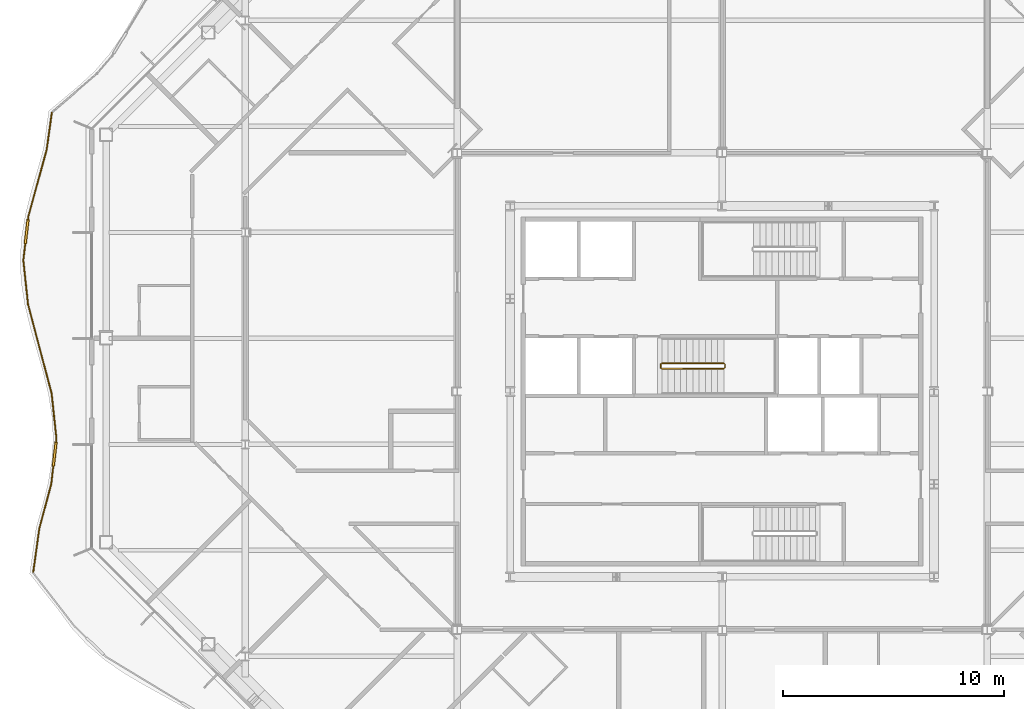
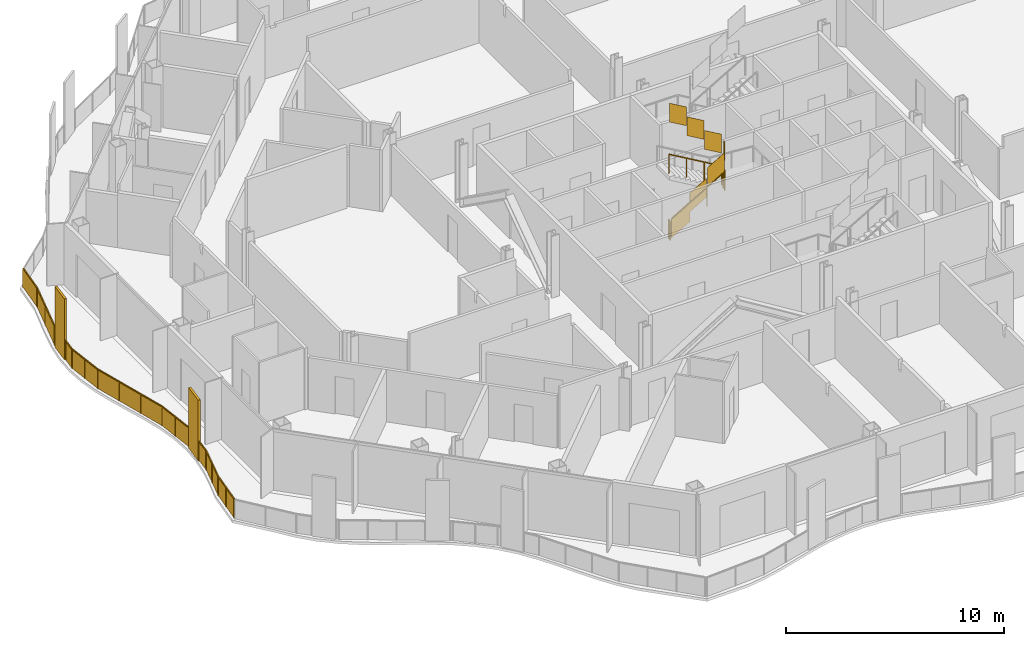
# One storey, part 17 of 21: 3 railings.
"""IFC4 building model written with IfcOpenShell, lengths in metres."""

from ifc_helpers import new_model, si_unit, direction, frame, origin, origin_2d, place, context, subcontext, project, spatial, polyline, rectangle, outline, extrude, material, type_object, element, save


model = new_model("IFC4")

# Units and contexts
model_context = context("Model", 3, precision=1e-05, world=origin(), true_north=direction((0.0, 1.0)))
body_context = subcontext(model_context, "Body", "Model", "MODEL_VIEW")
ifc_project = project(units=[si_unit("LENGTHUNIT", "METRE"), si_unit("AREAUNIT", "SQUARE_METRE"), si_unit("VOLUMEUNIT", "CUBIC_METRE"), si_unit("PLANEANGLEUNIT", "RADIAN"), si_unit("MASSUNIT", "GRAM", prefix="KILO")], contexts=[model_context])

# Site, building, storey
site_placement = place(None, origin())
site = spatial("IfcSite", under=ifc_project, at=site_placement, CompositionType="ELEMENT")
building_placement = place(site_placement, origin())
building = spatial("IfcBuilding", under=site, at=building_placement, Name="Cairn Pilgrim Tower", CompositionType="ELEMENT")
storey_placement = place(building_placement, frame((0.0, 0.0, 168.60009765625)))
storey = spatial("IfcBuildingStorey", under=building, at=storey_placement, Name="L42", CompositionType="ELEMENT", Elevation=168.60009765625)

# Railings
ifc_material_1 = material(Name="Bronze anodised aluminium rail, posts and fin screens with laminated glass infill", Category="aluminium")
railing_type_1 = type_object("IfcRailingType", Name="BALCONY GUARD WITH FIN SCREENS", PredefinedType="GUARDRAIL", material=ifc_material_1)
railing_1_placement = place(storey_placement, frame((-23.1572265625, 15.02685546875, 0.0)))
element("IfcRailing", 1, at=railing_1_placement, inside=storey, type_object=railing_type_1, Name="Balcony guard BGF-7 with fin screens", PredefinedType="GUARDRAIL", context=body_context, shape_type="SweptSolid", body=[
    extrude(rectangle(XDim=0.050048828125, YDim=0.050048828125, at=origin_2d()), frame((0.0, 0.0, 1.0751953125), z_axis=(-0.138172880058, -0.990408125581, 0.0), x_axis=(0.990408125581, -0.138172880058, 0.0)), (0.0, 0.0, 1.0), 1.683837890625),
    extrude(rectangle(XDim=0.050048828125, YDim=0.050048828125, at=origin_2d()), frame((-0.232666015625, -1.667724609375, 1.0751953125), z_axis=(-0.264018256872, -0.964517682595, 0.0), x_axis=(0.964517682595, -0.264018256872, 0.0)), (0.0, 0.0, 1.0), 3.141357421875),
    extrude(rectangle(XDim=1.10009765625, YDim=0.110107421875, at=origin_2d()), frame((-1.14208984375, -5.392822265625, 0.0), z_axis=(0.0, 0.0, 1.0), x_axis=(-0.114504022567, -0.993422784526, 0.0)), (0.0, 0.0, 1.0), 3.39990234375),
    extrude(rectangle(XDim=0.050048828125, YDim=0.050048828125, at=origin_2d()), frame((-1.06201171875, -4.697509765625, 1.0751953125), z_axis=(-0.114504022567, -0.993422784526, 0.0), x_axis=(0.993422784526, -0.114504022567, 0.0)), (0.0, 0.0, 1.0), 0.14990234375),
    extrude(rectangle(XDim=0.050048828125, YDim=0.050048828125, at=origin_2d()), frame((-1.205078125, -5.939208984375, 1.0751953125), z_axis=(-0.114504022567, -0.993422784526, 0.0), x_axis=(0.993422784526, -0.114504022567, 0.0)), (0.0, 0.0, 1.0), 0.75634765625),
    extrude(rectangle(XDim=0.050048828125, YDim=0.050048828125, at=origin_2d()), frame((-1.291748046875, -6.690673828125, 1.0751953125), z_axis=(0.105844992091, -0.994382641466, 0.0), x_axis=(0.994382641466, 0.105844992091, 0.0)), (0.0, 0.0, 1.0), 2.00439453125),
    extrude(rectangle(XDim=0.050048828125, YDim=0.050048828125, at=origin_2d()), frame((-1.07958984375, -8.683837890625, 1.0751953125), z_axis=(0.255757741287, -0.966740905192, 0.0), x_axis=(0.966740905192, 0.255757741287, 0.0)), (0.0, 0.0, 1.0), 4.18115234375),
    extrude(rectangle(XDim=0.050048828125, YDim=0.050048828125, at=origin_2d()), frame((-0.01025390625, -12.725830078125, 1.0751953125), z_axis=(0.105918159941, -0.994374850544, 0.0), x_axis=(0.994374850544, 0.105918159941, 0.0)), (0.0, 0.0, 1.0), 2.060546875),
    extrude(rectangle(XDim=1.10009765625, YDim=0.110107421875, at=origin_2d()), frame((0.1279296875, -15.47021484375, 0.0), z_axis=(0.0, 0.0, 1.0), x_axis=(-0.114367959767, -0.993438457973, 0.0)), (0.0, 0.0, 1.0), 3.39990234375),
    extrude(rectangle(XDim=0.050048828125, YDim=0.050048828125, at=origin_2d()), frame((0.2080078125, -14.77490234375, 1.0751953125), z_axis=(-0.114367959767, -0.993438457973, 0.0), x_axis=(0.993438457973, -0.114367959767, 0.0)), (0.0, 0.0, 1.0), 0.14990234375),
    extrude(rectangle(XDim=0.050048828125, YDim=0.050048828125, at=origin_2d()), frame((0.06494140625, -16.0166015625, 1.0751953125), z_axis=(-0.114367959767, -0.993438457973, 0.0), x_axis=(0.993438457973, -0.114367959767, 0.0)), (0.0, 0.0, 1.0), 0.812255859375),
    extrude(rectangle(XDim=0.050048828125, YDim=0.050048828125, at=origin_2d()), frame((-0.02783203125, -16.823486328125, 1.0751953125), z_axis=(-0.258932270629, -0.965895480488, 0.0), x_axis=(0.965895480488, -0.258932270629, 0.0)), (0.0, 0.0, 1.0), 2.09423828125),
    extrude(rectangle(XDim=0.050048828125, YDim=0.050048828125, at=origin_2d()), frame((-0.570068359375, -18.84619140625, 1.0751953125), z_axis=(-0.137564975502, -0.990492744807, 0.0), x_axis=(0.990492744807, -0.137564975502, 0.0)), (0.0, 0.0, 1.0), 1.959228515625),
    extrude(rectangle(XDim=0.050048828125, YDim=0.050048828125, at=origin_2d()), origin(), (0.0, 0.0, 1.0), 1.050048828125),
    extrude(rectangle(XDim=0.050048828125, YDim=0.050048828125, at=origin_2d()), frame((-0.232666015625, -1.667724609375, 0.0)), (0.0, 0.0, 1.0), 1.050048828125),
    extrude(rectangle(XDim=0.050048828125, YDim=0.050048828125, at=origin_2d()), frame((-0.6474609375, -3.1826171875, 0.0)), (0.0, 0.0, 1.0), 1.050048828125),
    extrude(rectangle(XDim=0.050048828125, YDim=0.050048828125, at=origin_2d()), frame((-1.06201171875, -4.697509765625, 0.0)), (0.0, 0.0, 1.0), 1.050048828125),
    extrude(rectangle(XDim=0.050048828125, YDim=0.050048828125, at=origin_2d()), frame((-1.076416015625, -4.821533203125, 0.0)), (0.0, 0.0, 1.0), 1.050048828125),
    extrude(rectangle(XDim=0.050048828125, YDim=0.050048828125, at=origin_2d()), frame((-1.2080078125, -5.964111328125, 0.0)), (0.0, 0.0, 1.0), 1.050048828125),
    extrude(rectangle(XDim=0.050048828125, YDim=0.050048828125, at=origin_2d()), frame((-1.291748046875, -6.690673828125, 0.0)), (0.0, 0.0, 1.0), 1.050048828125),
    extrude(rectangle(XDim=0.050048828125, YDim=0.050048828125, at=origin_2d()), frame((-1.185546875, -7.687255859375, 0.0)), (0.0, 0.0, 1.0), 1.050048828125),
    extrude(rectangle(XDim=0.050048828125, YDim=0.050048828125, at=origin_2d()), frame((-1.07958984375, -8.683837890625, 0.0)), (0.0, 0.0, 1.0), 1.050048828125),
    extrude(rectangle(XDim=0.050048828125, YDim=0.050048828125, at=origin_2d()), frame((-0.72314453125, -10.03125, 0.0)), (0.0, 0.0, 1.0), 1.050048828125),
    extrude(rectangle(XDim=0.050048828125, YDim=0.050048828125, at=origin_2d()), frame((-0.36669921875, -11.37841796875, 0.0)), (0.0, 0.0, 1.0), 1.050048828125),
    extrude(rectangle(XDim=0.050048828125, YDim=0.050048828125, at=origin_2d()), frame((-0.01025390625, -12.725830078125, 0.0)), (0.0, 0.0, 1.0), 1.050048828125),
    extrude(rectangle(XDim=0.050048828125, YDim=0.050048828125, at=origin_2d()), frame((0.098876953125, -13.75048828125, 0.0)), (0.0, 0.0, 1.0), 1.050048828125),
    extrude(rectangle(XDim=0.050048828125, YDim=0.050048828125, at=origin_2d()), frame((0.2080078125, -14.77490234375, 0.0)), (0.0, 0.0, 1.0), 1.050048828125),
    extrude(rectangle(XDim=0.050048828125, YDim=0.050048828125, at=origin_2d()), frame((0.19384765625, -14.89892578125, 0.0)), (0.0, 0.0, 1.0), 1.050048828125),
    extrude(rectangle(XDim=0.050048828125, YDim=0.050048828125, at=origin_2d()), frame((0.062255859375, -16.04150390625, 0.0)), (0.0, 0.0, 1.0), 1.050048828125),
    extrude(rectangle(XDim=0.050048828125, YDim=0.050048828125, at=origin_2d()), frame((-0.02783203125, -16.823486328125, 0.0)), (0.0, 0.0, 1.0), 1.050048828125),
    extrude(rectangle(XDim=0.050048828125, YDim=0.050048828125, at=origin_2d()), frame((-0.298828125, -17.8349609375, 0.0)), (0.0, 0.0, 1.0), 1.050048828125),
    extrude(rectangle(XDim=0.050048828125, YDim=0.050048828125, at=origin_2d()), frame((-0.570068359375, -18.84619140625, 0.0)), (0.0, 0.0, 1.0), 1.050048828125),
    extrude(rectangle(XDim=0.050048828125, YDim=0.050048828125, at=origin_2d()), frame((-0.704833984375, -19.81640625, 0.0)), (0.0, 0.0, 1.0), 1.050048828125),
    extrude(rectangle(XDim=0.050048828125, YDim=0.050048828125, at=origin_2d()), frame((-0.839599609375, -20.786865234375, 0.0)), (0.0, 0.0, 1.0), 1.050048828125),
    extrude(outline(polyline([(0.02490234375, 0.0), (1.658935546875, 0.0), (1.658935546875, 1.050048828125), (0.02490234375, 1.050048828125), (0.02490234375, 0.0)])), frame((0.005859375, -0.000732421875, 0.0), z_axis=(-0.990408125581, 0.138172880058, 0.0), x_axis=(-0.138172880058, -0.990408125581, 0.0)), (0.0, 0.0, 1.0), 0.011962890625),
    extrude(outline(polyline([(0.02490234375, 0.0), (1.545654296875, 0.0), (1.545654296875, 1.050048828125), (0.02490234375, 1.050048828125), (0.02490234375, 0.0)])), frame((-0.226806640625, -1.669189453125, 0.0), z_axis=(-0.964517682595, 0.264018256872, 0.0), x_axis=(-0.264018256872, -0.964517682595, 0.0)), (0.0, 0.0, 1.0), 0.011962890625),
    extrude(outline(polyline([(0.02490234375, 0.0), (1.545654296875, 0.0), (1.545654296875, 1.050048828125), (0.02490234375, 1.050048828125), (0.02490234375, 0.0)])), frame((-0.6416015625, -3.18408203125, 0.0), z_axis=(-0.964517682595, 0.264018256872, 0.0), x_axis=(-0.264018256872, -0.964517682595, 0.0)), (0.0, 0.0, 1.0), 0.011962890625),
    extrude(outline(polyline([(0.02490234375, 0.0), (0.099853515625, 0.0), (0.099853515625, 1.050048828125), (0.02490234375, 1.050048828125), (0.02490234375, 0.0)])), frame((-1.05615234375, -4.6982421875, 0.0), z_axis=(-0.993422784526, 0.114504022567, 0.0), x_axis=(-0.114504022567, -0.993422784526, 0.0)), (0.0, 0.0, 1.0), 0.011962890625),
    extrude(outline(polyline([(0.02490234375, 0.0), (0.706298828125, 0.0), (0.706298828125, 1.050048828125), (0.02490234375, 1.050048828125), (0.02490234375, 0.0)])), frame((-1.2021484375, -5.96484375, 0.0), z_axis=(-0.993422784526, 0.114504022567, 0.0), x_axis=(-0.114504022567, -0.993422784526, 0.0)), (0.0, 0.0, 1.0), 0.011962890625),
    extrude(outline(polyline([(0.02490234375, 0.0), (0.977294921875, 0.0), (0.977294921875, 1.050048828125), (0.02490234375, 1.050048828125), (0.02490234375, 0.0)])), frame((-1.285888671875, -6.68994140625, 0.0), z_axis=(-0.994382641466, -0.105844992091, 0.0), x_axis=(0.105844992091, -0.994382641466, 0.0)), (0.0, 0.0, 1.0), 0.011962890625),
    extrude(outline(polyline([(0.02490234375, 0.0), (0.977294921875, 0.0), (0.977294921875, 1.050048828125), (0.02490234375, 1.050048828125), (0.02490234375, 0.0)])), frame((-1.1796875, -7.6865234375, 0.0), z_axis=(-0.994382641466, -0.105844992091, 0.0), x_axis=(0.105844992091, -0.994382641466, 0.0)), (0.0, 0.0, 1.0), 0.011962890625),
    extrude(outline(polyline([(0.02490234375, 0.0), (1.36865234375, 0.0), (1.36865234375, 1.050048828125), (0.02490234375, 1.050048828125), (0.02490234375, 0.0)])), frame((-1.07373046875, -8.682373046875, 0.0), z_axis=(-0.966740905192, -0.255757741287, 0.0), x_axis=(0.255757741287, -0.966740905192, 0.0)), (0.0, 0.0, 1.0), 0.011962890625),
    extrude(outline(polyline([(0.02490234375, 0.0), (1.36865234375, 0.0), (1.36865234375, 1.050048828125), (0.02490234375, 1.050048828125), (0.02490234375, 0.0)])), frame((-0.71728515625, -10.029541015625, 0.0), z_axis=(-0.966740905192, -0.255757741287, 0.0), x_axis=(0.255757741287, -0.966740905192, 0.0)), (0.0, 0.0, 1.0), 0.011962890625),
    extrude(outline(polyline([(0.02490234375, 0.0), (1.36865234375, 0.0), (1.36865234375, 1.050048828125), (0.02490234375, 1.050048828125), (0.02490234375, 0.0)])), frame((-0.36083984375, -11.376953125, 0.0), z_axis=(-0.966740905192, -0.255757741287, 0.0), x_axis=(0.255757741287, -0.966740905192, 0.0)), (0.0, 0.0, 1.0), 0.011962890625),
    extrude(outline(polyline([(0.02490234375, 0.0), (1.00537109375, 0.0), (1.00537109375, 1.050048828125), (0.02490234375, 1.050048828125), (0.02490234375, 0.0)])), frame((-0.00439453125, -12.72509765625, 0.0), z_axis=(-0.994374850544, -0.105918159941, 0.0), x_axis=(0.105918159941, -0.994374850544, 0.0)), (0.0, 0.0, 1.0), 0.011962890625),
    extrude(outline(polyline([(0.02490234375, 0.0), (1.00537109375, 0.0), (1.00537109375, 1.050048828125), (0.02490234375, 1.050048828125), (0.02490234375, 0.0)])), frame((0.104736328125, -13.749755859375, 0.0), z_axis=(-0.994374850544, -0.105918159941, 0.0), x_axis=(0.105918159941, -0.994374850544, 0.0)), (0.0, 0.0, 1.0), 0.011962890625),
    extrude(outline(polyline([(0.02490234375, 0.0), (0.099853515625, 0.0), (0.099853515625, 1.050048828125), (0.02490234375, 1.050048828125), (0.02490234375, 0.0)])), frame((0.2138671875, -14.775634765625, 0.0), z_axis=(-0.993438457973, 0.114367959767, 0.0), x_axis=(-0.114367959767, -0.993438457973, 0.0)), (0.0, 0.0, 1.0), 0.011962890625),
    extrude(outline(polyline([(0.02490234375, 0.0), (0.76220703125, 0.0), (0.76220703125, 1.050048828125), (0.02490234375, 1.050048828125), (0.02490234375, 0.0)])), frame((0.068115234375, -16.042236328125, 0.0), z_axis=(-0.993438457973, 0.114367959767, 0.0), x_axis=(-0.114367959767, -0.993438457973, 0.0)), (0.0, 0.0, 1.0), 0.011962890625),
    extrude(outline(polyline([(0.02490234375, 0.0), (1.02197265625, 0.0), (1.02197265625, 1.050048828125), (0.02490234375, 1.050048828125), (0.02490234375, 0.0)])), frame((-0.02197265625, -16.824951171875, 0.0), z_axis=(-0.965895480488, 0.258932270629, 0.0), x_axis=(-0.258932270629, -0.965895480488, 0.0)), (0.0, 0.0, 1.0), 0.011962890625),
    extrude(outline(polyline([(0.02490234375, 0.0), (1.02197265625, 0.0), (1.02197265625, 1.050048828125), (0.02490234375, 1.050048828125), (0.02490234375, 0.0)])), frame((-0.293212890625, -17.83642578125, 0.0), z_axis=(-0.965895480488, 0.258932270629, 0.0), x_axis=(-0.258932270629, -0.965895480488, 0.0)), (0.0, 0.0, 1.0), 0.011962890625),
    extrude(outline(polyline([(0.02490234375, 0.0), (0.95458984375, 0.0), (0.95458984375, 1.050048828125), (0.02490234375, 1.050048828125), (0.02490234375, 0.0)])), frame((-0.564208984375, -18.846923828125, 0.0), z_axis=(-0.990492744807, 0.137564975502, 0.0), x_axis=(-0.137564975502, -0.990492744807, 0.0)), (0.0, 0.0, 1.0), 0.011962890625),
    extrude(outline(polyline([(0.02490234375, 0.0), (0.95458984375, 0.0), (0.95458984375, 1.050048828125), (0.02490234375, 1.050048828125), (0.02490234375, 0.0)])), frame((-0.698974609375, -19.8173828125, 0.0), z_axis=(-0.990492744807, 0.137564975502, 0.0), x_axis=(-0.137564975502, -0.990492744807, 0.0)), (0.0, 0.0, 1.0), 0.011962890625),
])
ifc_material_2 = material(Name="Painted steel", Category="steel")
railing_type_2 = type_object("IfcRailingType", Name="STAIR GUARD 1100", PredefinedType="GUARDRAIL", material=ifc_material_2)
railing_2_placement = place(storey_placement, frame((4.47509765625, 3.425048828125, 0.16357421875)))
element("IfcRailing", 2, at=railing_2_placement, inside=storey, type_object=railing_type_2, Name="L42 ST-B stair guard 1", PredefinedType="GUARDRAIL", context=body_context, shape_type="SweptSolid", body=[
    extrude(rectangle(XDim=0.048095703125, YDim=0.048095703125, at=origin_2d()), frame((0.0, 0.0, 1.076171875), z_axis=(0.863374499697, 0.0, 0.504563646405), x_axis=(0.0, 1.0, 0.0)), (0.0, 0.0, 1.0), 3.242919921875),
    extrude(rectangle(XDim=0.048095703125, YDim=0.048095703125, at=origin_2d()), frame((2.7998046875, 0.0, 2.71240234375), z_axis=(0.707106781187, 0.707106781187, 0.0), x_axis=(-0.707106781187, 0.707106781187, 0.0)), (0.0, 0.0, 1.0), 0.07080078125),
    extrude(rectangle(XDim=0.048095703125, YDim=0.048095703125, at=origin_2d()), frame((2.849853515625, 0.050048828125, 2.71240234375), z_axis=(0.0, 1.0, 0.0), x_axis=(-1.0, 0.0, 0.0)), (0.0, 0.0, 1.0), 0.14990234375),
    extrude(rectangle(XDim=0.048095703125, YDim=0.048095703125, at=origin_2d()), frame((2.849853515625, 0.199951171875, 2.71240234375), z_axis=(-0.280456126637, 0.280456126637, 0.917980785237), x_axis=(-0.707106781187, -0.707106781187, 0.0)), (0.0, 0.0, 1.0), 0.178466796875),
    extrude(rectangle(XDim=0.048095703125, YDim=0.048095703125, at=origin_2d()), frame((2.7998046875, 0.25, 2.8759765625), z_axis=(-0.863374499697, 0.0, 0.504563646405), x_axis=(0.0, -1.0, 0.0)), (0.0, 0.0, 1.0), 3.242919921875),
    extrude(rectangle(XDim=0.0419921875, YDim=0.0419921875, at=origin_2d()), origin(), (0.0, 0.0, 1.0), 1.052001953125),
    extrude(rectangle(XDim=0.0419921875, YDim=0.0419921875, at=origin_2d()), frame((0.933349609375, 0.0, 0.54541015625)), (0.0, 0.0, 1.0), 1.052001953125),
    extrude(rectangle(XDim=0.0419921875, YDim=0.0419921875, at=origin_2d()), frame((1.866455078125, 0.0, 1.0908203125)), (0.0, 0.0, 1.0), 1.052001953125),
    extrude(rectangle(XDim=0.0419921875, YDim=0.0419921875, at=origin_2d()), frame((2.7998046875, 0.0, 1.63623046875)), (0.0, 0.0, 1.0), 1.052001953125),
    extrude(rectangle(XDim=0.0419921875, YDim=0.0419921875, at=origin_2d()), frame((2.849853515625, 0.050048828125, 1.63623046875)), (0.0, 0.0, 1.0), 1.052001953125),
    extrude(rectangle(XDim=0.0419921875, YDim=0.0419921875, at=origin_2d()), frame((2.849853515625, 0.199951171875, 1.63623046875)), (0.0, 0.0, 1.0), 1.052001953125),
    extrude(rectangle(XDim=0.0419921875, YDim=0.0419921875, at=origin_2d()), frame((2.7998046875, 0.25, 1.800048828125)), (0.0, 0.0, 1.0), 1.052001953125),
    extrude(rectangle(XDim=0.0419921875, YDim=0.0419921875, at=origin_2d()), frame((1.866455078125, 0.25, 2.345458984375)), (0.0, 0.0, 1.0), 1.052001953125),
    extrude(rectangle(XDim=0.0419921875, YDim=0.0419921875, at=origin_2d()), frame((0.933349609375, 0.25, 2.890869140625)), (0.0, 0.0, 1.0), 1.052001953125),
    extrude(rectangle(XDim=0.0419921875, YDim=0.0419921875, at=origin_2d()), frame((0.0, 0.25, 3.436279296875)), (0.0, 0.0, 1.0), 1.052001953125),
    extrude(outline(polyline([(0.02099609375, 0.01220703125), (0.912353515625, 0.533203125), (0.912353515625, 1.585205078125), (0.02099609375, 1.064208984375), (0.02099609375, 0.01220703125)])), frame((0.0, 0.005859375, 0.0), z_axis=(0.0, -1.0, 0.0), x_axis=(1.0, 0.0, 0.0)), (0.0, 0.0, 1.0), 0.011962890625),
    extrude(outline(polyline([(0.02099609375, 0.5576171875), (0.912353515625, 1.07861328125), (0.912353515625, 2.130615234375), (0.02099609375, 1.609619140625), (0.02099609375, 0.5576171875)])), frame((0.933349609375, 0.005859375, 0.54541015625), z_axis=(0.0, -1.0, 0.0), x_axis=(1.0, 0.0, 0.0)), (0.0, 0.0, 1.0), 0.011962890625),
    extrude(outline(polyline([(0.02099609375, 1.10302734375), (0.912353515625, 1.6240234375), (0.912353515625, 2.676025390625), (0.02099609375, 2.155029296875), (0.02099609375, 1.10302734375)])), frame((1.866455078125, 0.005859375, 1.0908203125), z_axis=(0.0, -1.0, 0.0), x_axis=(1.0, 0.0, 0.0)), (0.0, 0.0, 1.0), 0.011962890625),
    extrude(outline(polyline([(0.02099609375, 1.63623046875), (0.12890625, 1.63623046875), (0.12890625, 2.688232421875), (0.02099609375, 2.688232421875), (0.02099609375, 1.63623046875)])), frame((2.84375, 0.050048828125, 1.63623046875), z_axis=(1.0, 0.0, 0.0), x_axis=(0.0, 1.0, 0.0)), (0.0, 0.0, 1.0), 0.011962890625),
    extrude(outline(polyline([(0.02099609375, 1.812255859375), (0.912353515625, 2.333251953125), (0.912353515625, 3.38525390625), (0.02099609375, 2.8642578125), (0.02099609375, 1.812255859375)])), frame((2.7998046875, 0.244140625, 1.800048828125), z_axis=(0.0, 1.0, 0.0), x_axis=(-1.0, 0.0, 0.0)), (0.0, 0.0, 1.0), 0.011962890625),
    extrude(outline(polyline([(0.02099609375, 2.357666015625), (0.912353515625, 2.878662109375), (0.912353515625, 3.9306640625), (0.02099609375, 3.40966796875), (0.02099609375, 2.357666015625)])), frame((1.866455078125, 0.244140625, 2.345458984375), z_axis=(0.0, 1.0, 0.0), x_axis=(-1.0, 0.0, 0.0)), (0.0, 0.0, 1.0), 0.011962890625),
    extrude(outline(polyline([(0.02099609375, 2.903076171875), (0.912353515625, 3.424072265625), (0.912353515625, 4.47607421875), (0.02099609375, 3.955078125), (0.02099609375, 2.903076171875)])), frame((0.933349609375, 0.244140625, 2.890869140625), z_axis=(0.0, 1.0, 0.0), x_axis=(-1.0, 0.0, 0.0)), (0.0, 0.0, 1.0), 0.011962890625),
])
railing_3_placement = place(storey_placement, frame((4.425048828125, 3.47509765625, 0.0)))
element("IfcRailing", 3, at=railing_3_placement, inside=storey, type_object=railing_type_2, Name="L42 ST-B stair guard 2", PredefinedType="GUARDRAIL", context=body_context, shape_type="SweptSolid", body=[
    extrude(rectangle(XDim=0.048095703125, YDim=0.048095703125, at=origin_2d()), frame((0.0, 0.0, 1.076171875), z_axis=(0.0, 1.0, 0.0), x_axis=(-1.0, 0.0, 0.0)), (0.0, 0.0, 1.0), 0.14990234375),
    extrude(rectangle(XDim=0.0419921875, YDim=0.0419921875, at=origin_2d()), origin(), (0.0, 0.0, 1.0), 1.052001953125),
    extrude(rectangle(XDim=0.0419921875, YDim=0.0419921875, at=origin_2d()), frame((0.0, 0.14990234375, 0.0)), (0.0, 0.0, 1.0), 1.052001953125),
    extrude(outline(polyline([(0.02099609375, 0.0), (0.12890625, 0.0), (0.12890625, 1.052001953125), (0.02099609375, 1.052001953125), (0.02099609375, 0.0)])), frame((-0.005859375, 0.0, 0.0), z_axis=(1.0, 0.0, 0.0), x_axis=(0.0, 1.0, 0.0)), (0.0, 0.0, 1.0), 0.011962890625),
])

save(model, "model.ifc")
